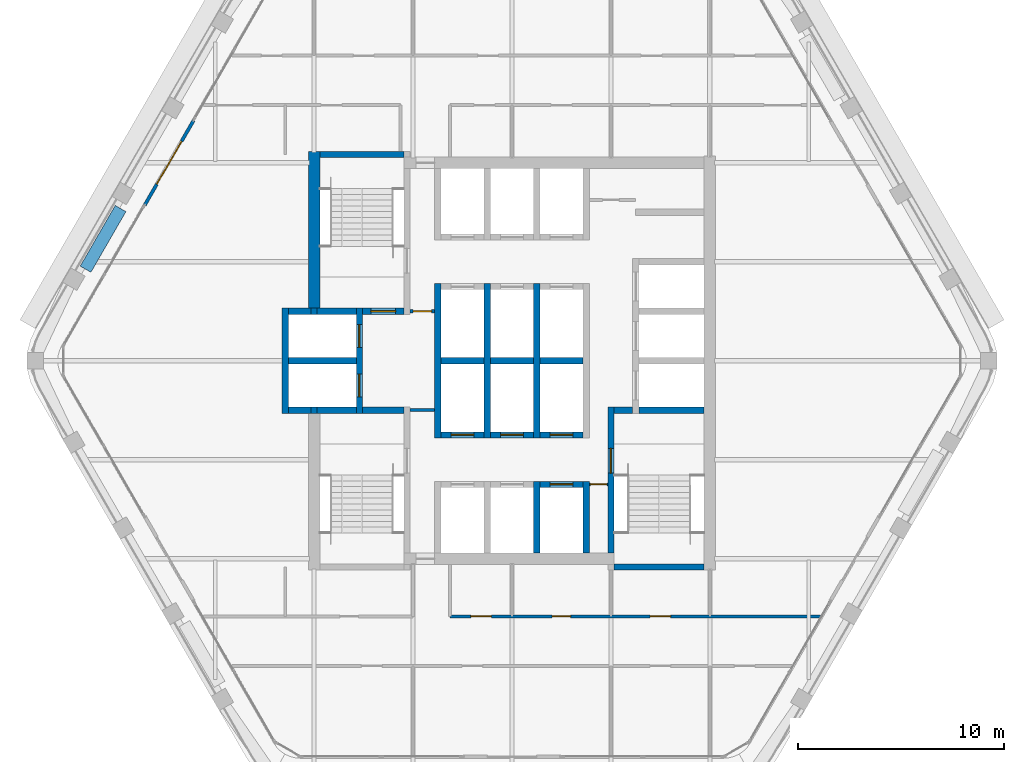
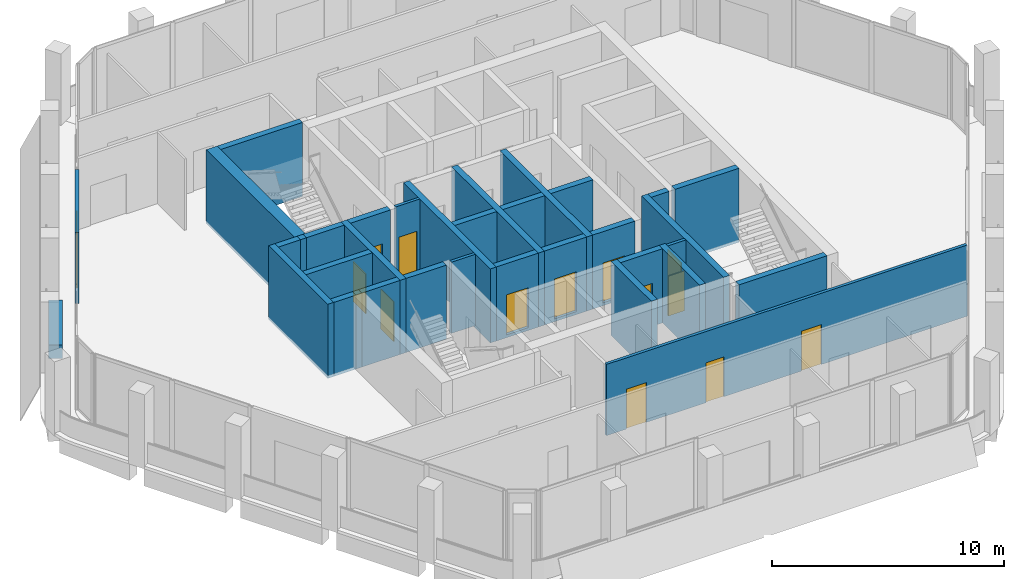
# One storey, part 8 of 14: 35 walls, 14 doors, 14 openings.
"""IFC4 building model written with IfcOpenShell, lengths in metres."""

from ifc_helpers import new_model, si_unit, direction, frame, frame_2d, origin, place, context, subcontext, project, spatial, rectangle, extrude, material, layer, layer_set, type_object, element, fill, save


model = new_model("IFC4")

# Units and contexts
model_context = context("Model", 3, precision=1e-05, world=origin(), true_north=direction((0.0, 1.0)))
body_context = subcontext(model_context, "Body", "Model", "MODEL_VIEW")
ifc_project = project(units=[si_unit("LENGTHUNIT", "METRE"), si_unit("AREAUNIT", "SQUARE_METRE"), si_unit("VOLUMEUNIT", "CUBIC_METRE"), si_unit("PLANEANGLEUNIT", "RADIAN"), si_unit("MASSUNIT", "GRAM", prefix="KILO")], contexts=[model_context])

# Site, building, storey
site_placement = place(None, origin())
site = spatial("IfcSite", under=ifc_project, at=site_placement, CompositionType="ELEMENT")
building_placement = place(site_placement, origin())
building = spatial("IfcBuilding", under=site, at=building_placement, Name="Kolab Exchange Tower", CompositionType="ELEMENT")
storey_placement = place(building_placement, frame((0.0, 0.0, 246.199951171875)))
storey = spatial("IfcBuildingStorey", under=building, at=storey_placement, Name="L54", CompositionType="ELEMENT", Elevation=246.199951171875)

# Wall
ifc_material_1 = material(Name="Concrete C50/60", Category="concrete")
ifc_layer_1 = layer(ifc_material_1, 0.550048828125)
ifc_layer_set_1 = layer_set([ifc_layer_1], Name="Concrete C50/60")
wall_type_1 = type_object("IfcWallType", Name="CORE WALL 550 C50/60", PredefinedType="SHEAR", material=ifc_layer_set_1)
wall_1_placement = place(storey_placement, frame((-9.60009765625, 2.550048828125, -0.14990234375), z_axis=(0.0, 0.0, 1.0), x_axis=(0.0, 1.0, 0.0)))
element("IfcWall", 1, at=wall_1_placement, inside=storey, type_object=wall_type_1, Name="wall/L54/core/037", PredefinedType="SHEAR", context=body_context, shape_type="SweptSolid", body=[
    extrude(rectangle(XDim=7.599853515625, YDim=0.550048828125, at=frame_2d((3.7998046875, 0.0))), origin(), (0.0, 0.0, 1.0), 3.89990234375),
])

# Wall, opening, door
ifc_material_2 = material(Name="Aluminium EN AW-6063 T6", Category="aluminium")
ifc_layer_2 = layer(ifc_material_2, 0.159912109375)
ifc_layer_set_2 = layer_set([ifc_layer_2], Name="Aluminium EN AW-6063 T6")
wall_type_2 = type_object("IfcWallType", Name="DOOR SURROUND WALL 160 ALUMINIUM FRAMED", PredefinedType="PARTITIONING", material=ifc_layer_set_2)
wall_2_placement = place(storey_placement, frame((-17.816650390625, 7.5498046875, 0.0), z_axis=(0.0, 0.0, 1.0), x_axis=(0.499978080042, 0.866038058908, 0.0)))
wall_2 = element("IfcWall", 2, at=wall_2_placement, inside=storey, type_object=wall_type_2, Name="Door surround wall", PredefinedType="PARTITIONING", context=body_context, shape_type="SweptSolid", body=[
    extrude(rectangle(XDim=4.739990234375, YDim=0.159912109375, at=frame_2d((2.3701171875, 0.0))), origin(), (0.0, 0.0, 1.0), 3.75),
])
opening_1_placement = place(wall_2_placement, frame((1.169921875, 0.0, 0.0)))
opening_1 = element("IfcOpeningElement", 3, at=opening_1_placement, cuts=wall_2, Name="Opening GD1-094", PredefinedType="OPENING", context=body_context, shape_type="SweptSolid", body=[
    extrude(rectangle(XDim=2.39990234375, YDim=2.39990234375, at=frame_2d((1.199951171875, 1.199951171875))), frame((0.0, 0.08984375, 0.0), z_axis=(0.0, -1.0, 0.0), x_axis=(1.0, 0.0, 0.0)), (0.0, 0.0, 1.0), 0.179931640625),
])
door_type_1 = type_object("IfcDoorType", Name="LOGGIA SLIDING GLASS DOOR 2400 X 2400", OperationType="DOUBLE_DOOR_SINGLE_SWING", PredefinedType="DOOR", material=ifc_material_2)
door_1_placement = place(opening_1_placement, origin())
door_1 = element("IfcDoor", 4, at=door_1_placement, inside=storey, type_object=door_type_1, Name="Loggia door", OperationType="DOUBLE_DOOR_SLIDING", OverallHeight=2.39990234375, OverallWidth=2.39990234375, PredefinedType="DOOR", context=body_context, shape_type="SweptSolid", body=[
    extrude(rectangle(XDim=2.39990234375, YDim=2.39990234375, at=frame_2d((1.199951171875, 1.199951171875))), frame((0.0, 0.02490234375, 0.0), z_axis=(0.0, -1.0, 0.0), x_axis=(1.0, 0.0, 0.0)), (0.0, 0.0, 1.0), 0.050048828125),
])
fill(opening_1, door_1)

ifc_layer_3 = layer(ifc_material_1, 0.300048828125)
ifc_layer_set_3 = layer_set([ifc_layer_3], Name="Concrete C50/60")
wall_type_3 = type_object("IfcWallType", Name="LIFT SHAFT WALL 300 C50/60", PredefinedType="STANDARD", material=ifc_layer_set_3)
wall_3_placement = place(storey_placement, frame((1.35009765625, -6.0, -0.14990234375), z_axis=(0.0, 0.0, 1.0), x_axis=(1.0, 0.0, 0.0)))
wall_3 = element("IfcWall", 5, at=wall_3_placement, inside=storey, type_object=wall_type_3, Name="wall/L54/core/005", PredefinedType="STANDARD", context=body_context, shape_type="SweptSolid", body=[
    extrude(rectangle(XDim=2.099853515625, YDim=0.300048828125, at=frame_2d((1.0498046875, 0.0))), origin(), (0.0, 0.0, 1.0), 3.89990234375),
])
opening_2_placement = place(wall_3_placement, frame((0.5, 0.0, 0.14990234375)))
opening_2 = element("IfcOpeningElement", 6, at=opening_2_placement, cuts=wall_3, Name="Opening LD1-112", PredefinedType="OPENING", context=body_context, shape_type="SweptSolid", body=[
    extrude(rectangle(XDim=1.10009765625, YDim=2.10009765625, at=frame_2d((0.550048828125, 1.050048828125))), frame((0.0, 0.16015625, 0.0), z_axis=(0.0, -1.0, 0.0), x_axis=(1.0, 0.0, 0.0)), (0.0, 0.0, 1.0), 0.320068359375),
])
ifc_material_3 = material(Name="Stainless steel 316", Category="steel")
door_type_2 = type_object("IfcDoorType", Name="LANDING DOOR 1100 PASSENGER", OperationType="DOUBLE_DOOR_SLIDING", PredefinedType="DOOR", material=ifc_material_3)
door_2_placement = place(opening_2_placement, origin())
door_2 = element("IfcDoor", 7, at=door_2_placement, inside=storey, type_object=door_type_2, Name="Landing door HR12", OperationType="DOUBLE_DOOR_SLIDING", OverallHeight=2.10009765625, OverallWidth=1.10009765625, PredefinedType="DOOR", context=body_context, shape_type="SweptSolid", body=[
    extrude(rectangle(XDim=1.10009765625, YDim=2.10009765625, at=frame_2d((0.550048828125, 1.050048828125))), frame((0.0, 0.02490234375, 0.0), z_axis=(0.0, -1.0, 0.0), x_axis=(1.0, 0.0, 0.0)), (0.0, 0.0, 1.0), 0.050048828125),
])
fill(opening_2, door_2)

wall_4_placement = place(storey_placement, frame((-3.449951171875, -3.60009765625, -0.14990234375), z_axis=(0.0, 0.0, 1.0), x_axis=(1.0, 0.0, 0.0)))
wall_4 = element("IfcWall", 8, at=wall_4_placement, inside=storey, type_object=wall_type_3, Name="wall/L54/core/006", PredefinedType="STANDARD", context=body_context, shape_type="SweptSolid", body=[
    extrude(rectangle(XDim=2.099853515625, YDim=0.300048828125, at=frame_2d((1.0498046875, 0.0))), origin(), (0.0, 0.0, 1.0), 3.89990234375),
])
opening_3_placement = place(wall_4_placement, frame((0.5, 0.0, 0.14990234375)))
opening_3 = element("IfcOpeningElement", 9, at=opening_3_placement, cuts=wall_4, Name="Opening LD1-118", PredefinedType="OPENING", context=body_context, shape_type="SweptSolid", body=[
    extrude(rectangle(XDim=1.10009765625, YDim=2.10009765625, at=frame_2d((0.550048828125, 1.050048828125))), frame((0.0, 0.16015625, 0.0), z_axis=(0.0, -1.0, 0.0), x_axis=(1.0, 0.0, 0.0)), (0.0, 0.0, 1.0), 0.320068359375),
])
door_3_placement = place(opening_3_placement, origin())
door_3 = element("IfcDoor", 10, at=door_3_placement, inside=storey, type_object=door_type_2, Name="Landing door HR7", OperationType="DOUBLE_DOOR_SLIDING", OverallHeight=2.10009765625, OverallWidth=1.10009765625, PredefinedType="DOOR", context=body_context, shape_type="SweptSolid", body=[
    extrude(rectangle(XDim=1.10009765625, YDim=2.10009765625, at=frame_2d((0.550048828125, 1.050048828125))), frame((0.0, 0.02490234375, 0.0), z_axis=(0.0, -1.0, 0.0), x_axis=(1.0, 0.0, 0.0)), (0.0, 0.0, 1.0), 0.050048828125),
])
fill(opening_3, door_3)

wall_5_placement = place(storey_placement, frame((-1.050048828125, -3.60009765625, -0.14990234375), z_axis=(0.0, 0.0, 1.0), x_axis=(1.0, 0.0, 0.0)))
wall_5 = element("IfcWall", 11, at=wall_5_placement, inside=storey, type_object=wall_type_3, Name="wall/L54/core/007", PredefinedType="STANDARD", context=body_context, shape_type="SweptSolid", body=[
    extrude(rectangle(XDim=2.10009765625, YDim=0.300048828125, at=frame_2d((1.050048828125, 0.0))), origin(), (0.0, 0.0, 1.0), 3.89990234375),
])
opening_4_placement = place(wall_5_placement, frame((0.5, 0.0, 0.14990234375)))
opening_4 = element("IfcOpeningElement", 12, at=opening_4_placement, cuts=wall_5, Name="Opening LD1-119", PredefinedType="OPENING", context=body_context, shape_type="SweptSolid", body=[
    extrude(rectangle(XDim=1.10009765625, YDim=2.10009765625, at=frame_2d((0.550048828125, 1.050048828125))), frame((0.0, 0.16015625, 0.0), z_axis=(0.0, -1.0, 0.0), x_axis=(1.0, 0.0, 0.0)), (0.0, 0.0, 1.0), 0.320068359375),
])
door_4_placement = place(opening_4_placement, origin())
door_4 = element("IfcDoor", 13, at=door_4_placement, inside=storey, type_object=door_type_2, Name="Landing door HR8", OperationType="DOUBLE_DOOR_SLIDING", OverallHeight=2.10009765625, OverallWidth=1.10009765625, PredefinedType="DOOR", context=body_context, shape_type="SweptSolid", body=[
    extrude(rectangle(XDim=1.10009765625, YDim=2.10009765625, at=frame_2d((0.550048828125, 1.050048828125))), frame((0.0, 0.02490234375, 0.0), z_axis=(0.0, -1.0, 0.0), x_axis=(1.0, 0.0, 0.0)), (0.0, 0.0, 1.0), 0.050048828125),
])
fill(opening_4, door_4)

wall_6_placement = place(storey_placement, frame((1.35009765625, -3.60009765625, -0.14990234375), z_axis=(0.0, 0.0, 1.0), x_axis=(1.0, 0.0, 0.0)))
wall_6 = element("IfcWall", 14, at=wall_6_placement, inside=storey, type_object=wall_type_3, Name="wall/L54/core/008", PredefinedType="STANDARD", context=body_context, shape_type="SweptSolid", body=[
    extrude(rectangle(XDim=2.099853515625, YDim=0.300048828125, at=frame_2d((1.0498046875, 0.0))), origin(), (0.0, 0.0, 1.0), 3.89990234375),
])
opening_5_placement = place(wall_6_placement, frame((0.5, 0.0, 0.14990234375)))
opening_5 = element("IfcOpeningElement", 15, at=opening_5_placement, cuts=wall_6, Name="Opening LD1-120", PredefinedType="OPENING", context=body_context, shape_type="SweptSolid", body=[
    extrude(rectangle(XDim=1.10009765625, YDim=2.10009765625, at=frame_2d((0.550048828125, 1.050048828125))), frame((0.0, 0.16015625, 0.0), z_axis=(0.0, -1.0, 0.0), x_axis=(1.0, 0.0, 0.0)), (0.0, 0.0, 1.0), 0.320068359375),
])
door_5_placement = place(opening_5_placement, origin())
door_5 = element("IfcDoor", 16, at=door_5_placement, inside=storey, type_object=door_type_2, Name="Landing door HR9", OperationType="DOUBLE_DOOR_SLIDING", OverallHeight=2.10009765625, OverallWidth=1.10009765625, PredefinedType="DOOR", context=body_context, shape_type="SweptSolid", body=[
    extrude(rectangle(XDim=1.10009765625, YDim=2.10009765625, at=frame_2d((0.550048828125, 1.050048828125))), frame((0.0, 0.02490234375, 0.0), z_axis=(0.0, -1.0, 0.0), x_axis=(1.0, 0.0, 0.0)), (0.0, 0.0, 1.0), 0.050048828125),
])
fill(opening_5, door_5)

# Walls
wall_7_placement = place(storey_placement, frame((-10.85009765625, -2.39990234375, -0.14990234375), z_axis=(0.0, 0.0, 1.0), x_axis=(1.0, 0.0, 0.0)))
element("IfcWall", 17, at=wall_7_placement, inside=storey, type_object=wall_type_3, Name="wall/L54/core/009", PredefinedType="STANDARD", context=body_context, shape_type="SweptSolid", body=[
    extrude(rectangle(XDim=1.10009765625, YDim=0.300048828125, at=frame_2d((0.550048828125, 0.0))), origin(), (0.0, 0.0, 1.0), 3.89990234375),
])
wall_8_placement = place(storey_placement, frame((-10.85009765625, 0.0, -0.14990234375), z_axis=(0.0, 0.0, 1.0), x_axis=(1.0, 0.0, 0.0)))
element("IfcWall", 18, at=wall_8_placement, inside=storey, type_object=wall_type_3, Name="wall/L54/core/014", PredefinedType="STANDARD", context=body_context, shape_type="SweptSolid", body=[
    extrude(rectangle(XDim=3.300048828125, YDim=0.300048828125, at=frame_2d((1.64990234375, 0.0))), origin(), (0.0, 0.0, 1.0), 3.89990234375),
])
wall_9_placement = place(storey_placement, frame((-3.449951171875, 0.0, -0.14990234375), z_axis=(0.0, 0.0, 1.0), x_axis=(1.0, 0.0, 0.0)))
element("IfcWall", 19, at=wall_9_placement, inside=storey, type_object=wall_type_3, Name="wall/L54/core/015", PredefinedType="STANDARD", context=body_context, shape_type="SweptSolid", body=[
    extrude(rectangle(XDim=2.099853515625, YDim=0.300048828125, at=frame_2d((1.0498046875, 0.0))), origin(), (0.0, 0.0, 1.0), 3.89990234375),
])
wall_10_placement = place(storey_placement, frame((-1.050048828125, 0.0, -0.14990234375), z_axis=(0.0, 0.0, 1.0), x_axis=(1.0, 0.0, 0.0)))
element("IfcWall", 20, at=wall_10_placement, inside=storey, type_object=wall_type_3, Name="wall/L54/core/016", PredefinedType="STANDARD", context=body_context, shape_type="SweptSolid", body=[
    extrude(rectangle(XDim=2.10009765625, YDim=0.300048828125, at=frame_2d((1.050048828125, 0.0))), origin(), (0.0, 0.0, 1.0), 3.89990234375),
])
wall_11_placement = place(storey_placement, frame((1.35009765625, 0.0, -0.14990234375), z_axis=(0.0, 0.0, 1.0), x_axis=(1.0, 0.0, 0.0)))
element("IfcWall", 21, at=wall_11_placement, inside=storey, type_object=wall_type_3, Name="wall/L54/core/017", PredefinedType="STANDARD", context=body_context, shape_type="SweptSolid", body=[
    extrude(rectangle(XDim=2.099853515625, YDim=0.300048828125, at=frame_2d((1.0498046875, 0.0))), origin(), (0.0, 0.0, 1.0), 3.89990234375),
])
wall_12_placement = place(storey_placement, frame((-10.85009765625, 2.39990234375, -0.14990234375), z_axis=(0.0, 0.0, 1.0), x_axis=(1.0, 0.0, 0.0)))
element("IfcWall", 22, at=wall_12_placement, inside=storey, type_object=wall_type_3, Name="wall/L54/core/019", PredefinedType="STANDARD", context=body_context, shape_type="SweptSolid", body=[
    extrude(rectangle(XDim=1.10009765625, YDim=0.300048828125, at=frame_2d((0.550048828125, 0.0))), origin(), (0.0, 0.0, 1.0), 3.89990234375),
])
wall_13_placement = place(storey_placement, frame((-11.0, -2.550048828125, -0.14990234375), z_axis=(0.0, 0.0, 1.0), x_axis=(0.0, 1.0, 0.0)))
element("IfcWall", 23, at=wall_13_placement, inside=storey, type_object=wall_type_3, Name="wall/L54/core/033", PredefinedType="STANDARD", context=body_context, shape_type="SweptSolid", body=[
    extrude(rectangle(XDim=5.10009765625, YDim=0.300048828125, at=frame_2d((2.550048828125, 0.0))), origin(), (0.0, 0.0, 1.0), 3.89990234375),
])

# Wall, openings, doors
wall_14_placement = place(storey_placement, frame((-7.39990234375, -2.550048828125, -0.14990234375), z_axis=(0.0, 0.0, 1.0), x_axis=(0.0, 1.0, 0.0)))
wall_14 = element("IfcWall", 24, at=wall_14_placement, inside=storey, type_object=wall_type_3, Name="wall/L54/core/038", PredefinedType="STANDARD", context=body_context, shape_type="SweptSolid", body=[
    extrude(rectangle(XDim=5.10009765625, YDim=0.300048828125, at=frame_2d((2.550048828125, 0.0))), origin(), (0.0, 0.0, 1.0), 3.89990234375),
])
opening_6_placement = place(wall_14_placement, frame((0.800048828125, 0.0, 0.14990234375)))
opening_6 = element("IfcOpeningElement", 25, at=opening_6_placement, cuts=wall_14, Name="Opening LD2-025", PredefinedType="OPENING", context=body_context, shape_type="SweptSolid", body=[
    extrude(rectangle(XDim=1.10009765625, YDim=2.10009765625, at=frame_2d((0.550048828125, 1.050048828125))), frame((0.0, 0.16015625, 0.0), z_axis=(0.0, -1.0, 0.0), x_axis=(1.0, 0.0, 0.0)), (0.0, 0.0, 1.0), 0.320068359375),
])
opening_7_placement = place(wall_14_placement, frame((3.199951171875, 0.0, 0.14990234375)))
opening_7 = element("IfcOpeningElement", 26, at=opening_7_placement, cuts=wall_14, Name="Opening LD2-026", PredefinedType="OPENING", context=body_context, shape_type="SweptSolid", body=[
    extrude(rectangle(XDim=1.10009765625, YDim=2.10009765625, at=frame_2d((0.550048828125, 1.050048828125))), frame((0.0, 0.16015625, 0.0), z_axis=(0.0, -1.0, 0.0), x_axis=(1.0, 0.0, 0.0)), (0.0, 0.0, 1.0), 0.320068359375),
])
door_type_3 = type_object("IfcDoorType", Name="LANDING DOOR 1100 FIREFIGHTING", OperationType="DOUBLE_DOOR_SLIDING", PredefinedType="DOOR", material=ifc_material_3)
door_6_placement = place(opening_6_placement, origin())
door_6 = element("IfcDoor", 27, at=door_6_placement, inside=storey, type_object=door_type_3, Name="Landing door FF1", OperationType="DOUBLE_DOOR_SLIDING", OverallHeight=2.10009765625, OverallWidth=1.10009765625, PredefinedType="DOOR", context=body_context, shape_type="SweptSolid", body=[
    extrude(rectangle(XDim=1.10009765625, YDim=2.10009765625, at=frame_2d((0.550048828125, 1.050048828125))), frame((0.0, 0.02490234375, 0.0), z_axis=(0.0, -1.0, 0.0), x_axis=(1.0, 0.0, 0.0)), (0.0, 0.0, 1.0), 0.050048828125),
])
fill(opening_6, door_6)
door_7_placement = place(opening_7_placement, origin())
door_7 = element("IfcDoor", 28, at=door_7_placement, inside=storey, type_object=door_type_3, Name="Landing door FF2", OperationType="DOUBLE_DOOR_SLIDING", OverallHeight=2.10009765625, OverallWidth=1.10009765625, PredefinedType="DOOR", context=body_context, shape_type="SweptSolid", body=[
    extrude(rectangle(XDim=1.10009765625, YDim=2.10009765625, at=frame_2d((0.550048828125, 1.050048828125))), frame((0.0, 0.02490234375, 0.0), z_axis=(0.0, -1.0, 0.0), x_axis=(1.0, 0.0, 0.0)), (0.0, 0.0, 1.0), 0.050048828125),
])
fill(opening_7, door_7)

# Walls
for number, where, z_axis, x_axis, name in (
    (29, (-3.60009765625, -3.75, -0.14990234375), (0.0, 0.0, 1.0), (0.0, 1.0, 0.0), "wall/L54/core/044"),
    (30, (-1.199951171875, -3.75, -0.14990234375), (0.0, 0.0, 1.0), (0.0, 1.0, 0.0), "wall/L54/core/047"),
):
    element("IfcWall", number, at=place(storey_placement, frame(where, z_axis=z_axis, x_axis=x_axis)), inside=storey, type_object=wall_type_3, Name=name, PredefinedType="STANDARD", context=body_context, shape_type="SweptSolid", body=[
        extrude(rectangle(XDim=7.5, YDim=0.300048828125, at=frame_2d((3.75, 0.0))), origin(), (0.0, 0.0, 1.0), 3.89990234375),
    ])
wall_15_placement = place(storey_placement, frame((1.199951171875, -9.324951171875, -0.14990234375), z_axis=(0.0, 0.0, 1.0), x_axis=(0.0, 1.0, 0.0)))
element("IfcWall", 31, at=wall_15_placement, inside=storey, type_object=wall_type_3, Name="wall/L54/core/049", PredefinedType="STANDARD", context=body_context, shape_type="SweptSolid", body=[
    extrude(rectangle(XDim=3.474853515625, YDim=0.300048828125, at=frame_2d((1.7373046875, 0.0))), origin(), (0.0, 0.0, 1.0), 3.89990234375),
])
wall_16_placement = place(storey_placement, frame((1.199951171875, -3.75, -0.14990234375), z_axis=(0.0, 0.0, 1.0), x_axis=(0.0, 1.0, 0.0)))
element("IfcWall", 32, at=wall_16_placement, inside=storey, type_object=wall_type_3, Name="wall/L54/core/050", PredefinedType="STANDARD", context=body_context, shape_type="SweptSolid", body=[
    extrude(rectangle(XDim=7.5, YDim=0.300048828125, at=frame_2d((3.75, 0.0))), origin(), (0.0, 0.0, 1.0), 3.89990234375),
])
wall_17_placement = place(storey_placement, frame((3.60009765625, -9.324951171875, -0.14990234375), z_axis=(0.0, 0.0, 1.0), x_axis=(0.0, 1.0, 0.0)))
element("IfcWall", 33, at=wall_17_placement, inside=storey, type_object=wall_type_3, Name="wall/L54/core/052", PredefinedType="STANDARD", context=body_context, shape_type="SweptSolid", body=[
    extrude(rectangle(XDim=3.474853515625, YDim=0.300048828125, at=frame_2d((1.7373046875, 0.0))), origin(), (0.0, 0.0, 1.0), 3.89990234375),
])

# Wall, openings, doors
ifc_material_4 = material(Name="Gypsum board", Category="gypsum")
ifc_layer_4 = layer(ifc_material_4, 0.14990234375)
ifc_layer_set_4 = layer_set([ifc_layer_4], Name="Gypsum board")
wall_type_4 = type_object("IfcWallType", Name="PARTITION 150 FIRE-RATED", PredefinedType="PARTITIONING", material=ifc_layer_set_4)
wall_18_placement = place(storey_placement, frame((-3.0, -12.39990234375, 0.0), z_axis=(0.0, 0.0, 1.0), x_axis=(1.0, 0.0, 0.0)))
wall_18 = element("IfcWall", 34, at=wall_18_placement, inside=storey, type_object=wall_type_4, Name="Partition 021", PredefinedType="PARTITIONING", context=body_context, shape_type="SweptSolid", body=[
    extrude(rectangle(XDim=17.97021484375, YDim=0.14990234375, at=frame_2d((8.985107421875, 0.0))), origin(), (0.0, 0.0, 1.0), 3.75),
])
opening_8_placement = place(wall_18_placement, frame((1.0, 0.0, 0.0)))
opening_8 = element("IfcOpeningElement", 35, at=opening_8_placement, cuts=wall_18, Name="Opening D1-675", PredefinedType="OPENING", context=body_context, shape_type="SweptSolid", body=[
    extrude(rectangle(XDim=1.0, YDim=2.10009765625, at=frame_2d((0.5, 1.050048828125))), frame((0.0, 0.0849609375, 0.0), z_axis=(0.0, -1.0, 0.0), x_axis=(1.0, 0.0, 0.0)), (0.0, 0.0, 1.0), 0.169921875),
])
opening_9_placement = place(wall_18_placement, frame((4.949951171875, 0.0, 0.0)))
opening_9 = element("IfcOpeningElement", 36, at=opening_9_placement, cuts=wall_18, Name="Opening D3-080", PredefinedType="OPENING", context=body_context, shape_type="SweptSolid", body=[
    extrude(rectangle(XDim=0.89990234375, YDim=2.10009765625, at=frame_2d((0.449951171875, 1.050048828125))), frame((0.0, 0.0849609375, 0.0), z_axis=(0.0, -1.0, 0.0), x_axis=(1.0, 0.0, 0.0)), (0.0, 0.0, 1.0), 0.169921875),
])
opening_10_placement = place(wall_18_placement, frame((9.699951171875, 0.0, 0.0)))
opening_10 = element("IfcOpeningElement", 37, at=opening_10_placement, cuts=wall_18, Name="Opening D1-676", PredefinedType="OPENING", context=body_context, shape_type="SweptSolid", body=[
    extrude(rectangle(XDim=1.0, YDim=2.10009765625, at=frame_2d((0.5, 1.050048828125))), frame((0.0, 0.0849609375, 0.0), z_axis=(0.0, -1.0, 0.0), x_axis=(1.0, 0.0, 0.0)), (0.0, 0.0, 1.0), 0.169921875),
])
ifc_material_5 = material(Name="Steel S235", Category="steel")
door_type_4 = type_object("IfcDoorType", Name="FLUSH DOOR 1000 FD60", OperationType="SINGLE_SWING_LEFT", PredefinedType="DOOR", material=ifc_material_5)
door_8_placement = place(opening_8_placement, origin())
door_8 = element("IfcDoor", 38, at=door_8_placement, inside=storey, type_object=door_type_4, Name="Door L54-035", OperationType="SINGLE_SWING_LEFT", OverallHeight=2.10009765625, OverallWidth=1.0, PredefinedType="DOOR", context=body_context, shape_type="SweptSolid", body=[
    extrude(rectangle(XDim=1.0, YDim=2.10009765625, at=frame_2d((0.5, 1.050048828125))), frame((0.0, 0.02490234375, 0.0), z_axis=(0.0, -1.0, 0.0), x_axis=(1.0, 0.0, 0.0)), (0.0, 0.0, 1.0), 0.050048828125),
])
fill(opening_8, door_8)
door_9_placement = place(opening_10_placement, origin())
door_9 = element("IfcDoor", 39, at=door_9_placement, inside=storey, type_object=door_type_4, Name="Door L54-037", OperationType="SINGLE_SWING_LEFT", OverallHeight=2.10009765625, OverallWidth=1.0, PredefinedType="DOOR", context=body_context, shape_type="SweptSolid", body=[
    extrude(rectangle(XDim=1.0, YDim=2.10009765625, at=frame_2d((0.5, 1.050048828125))), frame((0.0, 0.02490234375, 0.0), z_axis=(0.0, -1.0, 0.0), x_axis=(1.0, 0.0, 0.0)), (0.0, 0.0, 1.0), 0.050048828125),
])
fill(opening_10, door_9)
door_type_5 = type_object("IfcDoorType", Name="FLUSH DOOR 900 FD60", OperationType="SINGLE_SWING_LEFT", PredefinedType="DOOR", material=ifc_material_5)
door_10_placement = place(opening_9_placement, origin())
door_10 = element("IfcDoor", 40, at=door_10_placement, inside=storey, type_object=door_type_5, Name="Door L54-036", OperationType="SINGLE_SWING_RIGHT", OverallHeight=2.10009765625, OverallWidth=0.89990234375, PredefinedType="DOOR", context=body_context, shape_type="SweptSolid", body=[
    extrude(rectangle(XDim=0.89990234375, YDim=2.10009765625, at=frame_2d((0.449951171875, 1.050048828125))), frame((0.0, 0.02490234375, 0.0), z_axis=(0.0, -1.0, 0.0), x_axis=(1.0, 0.0, 0.0)), (0.0, 0.0, 1.0), 0.050048828125),
])
fill(opening_9, door_10)

# Wall, opening, door
wall_19_placement = place(storey_placement, frame((3.75, -6.0, 0.0), z_axis=(0.0, 0.0, 1.0), x_axis=(1.0, 0.0, 0.0)))
wall_19 = element("IfcWall", 41, at=wall_19_placement, inside=storey, type_object=wall_type_4, Name="Partition 022", PredefinedType="PARTITIONING", context=body_context, shape_type="SweptSolid", body=[
    extrude(rectangle(XDim=0.89990234375, YDim=0.14990234375, at=frame_2d((0.449951171875, 0.0))), origin(), (0.0, 0.0, 1.0), 3.75),
])
opening_11_placement = place(wall_19_placement, frame((0.050048828125, 0.0, 0.0)))
opening_11 = element("IfcOpeningElement", 42, at=opening_11_placement, cuts=wall_19, Name="Opening D7-041", PredefinedType="OPENING", context=body_context, shape_type="SweptSolid", body=[
    extrude(rectangle(XDim=0.800048828125, YDim=2.10009765625, at=frame_2d((0.39990234375, 1.050048828125))), frame((0.0, 0.0849609375, 0.0), z_axis=(0.0, -1.0, 0.0), x_axis=(1.0, 0.0, 0.0)), (0.0, 0.0, 1.0), 0.169921875),
])
door_type_6 = type_object("IfcDoorType", Name="FLUSH DOOR 800 FD60", OperationType="SINGLE_SWING_LEFT", PredefinedType="DOOR", material=ifc_material_5)
door_11_placement = place(opening_11_placement, frame((0.800048828125, 0.0, 0.0), z_axis=(0.0, 0.0, 1.0), x_axis=(-1.0, 0.0, 0.0)))
door_11 = element("IfcDoor", 43, at=door_11_placement, inside=storey, type_object=door_type_6, Name="Door L54-024", OperationType="SINGLE_SWING_RIGHT", OverallHeight=2.10009765625, OverallWidth=0.800048828125, PredefinedType="DOOR", context=body_context, shape_type="SweptSolid", body=[
    extrude(rectangle(XDim=0.800048828125, YDim=2.10009765625, at=frame_2d((0.39990234375, 1.050048828125))), frame((0.0, 0.02490234375, 0.0), z_axis=(0.0, -1.0, 0.0), x_axis=(1.0, 0.0, 0.0)), (0.0, 0.0, 1.0), 0.050048828125),
])
fill(opening_11, door_11)

wall_20_placement = place(storey_placement, frame((-4.949951171875, 2.39990234375, 0.0), z_axis=(0.0, 0.0, 1.0), x_axis=(1.0, 0.0, 0.0)))
wall_20 = element("IfcWall", 44, at=wall_20_placement, inside=storey, type_object=wall_type_4, Name="Fire partition", PredefinedType="PARTITIONING", context=body_context, shape_type="SweptSolid", body=[
    extrude(rectangle(XDim=1.199951171875, YDim=0.14990234375, at=frame_2d((0.60009765625, 0.0))), origin(), (0.0, 0.0, 1.0), 3.75),
])
opening_12_placement = place(wall_20_placement, frame((0.14990234375, 0.0, 0.0)))
opening_12 = element("IfcOpeningElement", 45, at=opening_12_placement, cuts=wall_20, Name="Opening D6-288", PredefinedType="OPENING", context=body_context, shape_type="SweptSolid", body=[
    extrude(rectangle(XDim=0.89990234375, YDim=2.10009765625, at=frame_2d((0.449951171875, 1.050048828125))), frame((0.0, 0.0849609375, 0.0), z_axis=(0.0, -1.0, 0.0), x_axis=(1.0, 0.0, 0.0)), (0.0, 0.0, 1.0), 0.169921875),
])
door_type_7 = type_object("IfcDoorType", Name="CORE DOOR 900 EI 120", OperationType="SINGLE_SWING_LEFT", PredefinedType="DOOR", material=ifc_material_5)
door_12_placement = place(opening_12_placement, frame((0.89990234375, 0.0, 0.0), z_axis=(0.0, 0.0, 1.0), x_axis=(-1.0, 0.0, 0.0)))
door_12 = element("IfcDoor", 46, at=door_12_placement, inside=storey, type_object=door_type_7, Name="Firefighting lobby door", OperationType="SINGLE_SWING_RIGHT", OverallHeight=2.10009765625, OverallWidth=0.89990234375, PredefinedType="DOOR", context=body_context, shape_type="SweptSolid", body=[
    extrude(rectangle(XDim=0.89990234375, YDim=2.10009765625, at=frame_2d((0.449951171875, 1.050048828125))), frame((0.0, 0.02490234375, 0.0), z_axis=(0.0, -1.0, 0.0), x_axis=(1.0, 0.0, 0.0)), (0.0, 0.0, 1.0), 0.050048828125),
])
fill(opening_12, door_12)

# Walls
wall_21_placement = place(storey_placement, frame((-4.949951171875, -2.39990234375, 0.0), z_axis=(0.0, 0.0, 1.0), x_axis=(1.0, 0.0, 0.0)))
element("IfcWall", 47, at=wall_21_placement, inside=storey, type_object=wall_type_4, Name="Fire partition", PredefinedType="PARTITIONING", context=body_context, shape_type="SweptSolid", body=[
    extrude(rectangle(XDim=1.199951171875, YDim=0.14990234375, at=frame_2d((0.60009765625, 0.0))), origin(), (0.0, 0.0, 1.0), 3.75),
])
ifc_material_6 = material(Name="Granite facing", Category="masonry")
ifc_layer_5 = layer(ifc_material_6, 0.0400390625)
ifc_material_7 = material(Name="Concrete C40/50 precast", Category="concrete")
ifc_layer_6 = layer(ifc_material_7, 0.56005859375)
ifc_layer_set_5 = layer_set([ifc_layer_5, ifc_layer_6], Name="Concrete C40/50 precast")
wall_type_5 = type_object("IfcWallType", Name="PLANTER BOX 600 X 700 SOIL DEPTH 550", PredefinedType="USERDEFINED", material=ifc_layer_set_5)
wall_22_placement = place(storey_placement, frame((-20.68701171875, 4.438232421875, 0.0), z_axis=(0.0, 0.0, 1.0), x_axis=(0.500008388397, 0.866020560687, 0.0)))
element("IfcWall", 48, at=wall_22_placement, inside=storey, type_object=wall_type_5, Name="Planter", ObjectType="PLANTER", PredefinedType="USERDEFINED", context=body_context, shape_type="SweptSolid", body=[
    extrude(rectangle(XDim=3.39990234375, YDim=0.60009765625, at=frame_2d((1.699951171875, 0.0))), origin(), (0.0, 0.0, 1.0), 0.699951171875),
])
ifc_layer_7 = layer(ifc_material_1, 0.300048828125)
ifc_layer_set_6 = layer_set([ifc_layer_7], Name="Concrete C50/60")
wall_type_6 = type_object("IfcWallType", Name="STAIR ENCLOSURE WALL 300 C50/60", PredefinedType="STANDARD", material=ifc_layer_set_6)
wall_23_placement = place(storey_placement, frame((4.949951171875, -10.0, -0.14990234375), z_axis=(0.0, 0.0, 1.0), x_axis=(1.0, 0.0, 0.0)))
element("IfcWall", 49, at=wall_23_placement, inside=storey, type_object=wall_type_6, Name="wall/L54/core/001", PredefinedType="STANDARD", context=body_context, shape_type="SweptSolid", body=[
    extrude(rectangle(XDim=4.375, YDim=0.300048828125, at=frame_2d((2.1875, 0.0))), origin(), (0.0, 0.0, 1.0), 3.89990234375),
])
wall_24_placement = place(storey_placement, frame((-9.449951171875, -2.39990234375, -0.14990234375), z_axis=(0.0, 0.0, 1.0), x_axis=(1.0, 0.0, 0.0)))
element("IfcWall", 50, at=wall_24_placement, inside=storey, type_object=wall_type_6, Name="wall/L54/core/010", PredefinedType="STANDARD", context=body_context, shape_type="SweptSolid", body=[
    extrude(rectangle(XDim=1.89990234375, YDim=0.300048828125, at=frame_2d((0.949951171875, 0.0))), origin(), (0.0, 0.0, 1.0), 3.89990234375),
])
wall_25_placement = place(storey_placement, frame((-7.25, -2.39990234375, -0.14990234375), z_axis=(0.0, 0.0, 1.0), x_axis=(1.0, 0.0, 0.0)))
element("IfcWall", 51, at=wall_25_placement, inside=storey, type_object=wall_type_6, Name="wall/L54/core/011", PredefinedType="STANDARD", context=body_context, shape_type="SweptSolid", body=[
    extrude(rectangle(XDim=2.0, YDim=0.300048828125, at=frame_2d((1.0, 0.0))), origin(), (0.0, 0.0, 1.0), 3.89990234375),
])
wall_26_placement = place(storey_placement, frame((4.949951171875, -2.39990234375, -0.14990234375), z_axis=(0.0, 0.0, 1.0), x_axis=(1.0, 0.0, 0.0)))
element("IfcWall", 52, at=wall_26_placement, inside=storey, type_object=wall_type_6, Name="wall/L54/core/012", PredefinedType="STANDARD", context=body_context, shape_type="SweptSolid", body=[
    extrude(rectangle(XDim=0.900146484375, YDim=0.300048828125, at=frame_2d((0.4501953125, 0.0))), origin(), (0.0, 0.0, 1.0), 3.89990234375),
])
wall_27_placement = place(storey_placement, frame((6.14990234375, -2.39990234375, -0.14990234375), z_axis=(0.0, 0.0, 1.0), x_axis=(1.0, 0.0, 0.0)))
element("IfcWall", 53, at=wall_27_placement, inside=storey, type_object=wall_type_6, Name="wall/L54/core/013", PredefinedType="STANDARD", context=body_context, shape_type="SweptSolid", body=[
    extrude(rectangle(XDim=3.175048828125, YDim=0.300048828125, at=frame_2d((1.58740234375, 0.0))), origin(), (0.0, 0.0, 1.0), 3.89990234375),
])
wall_28_placement = place(storey_placement, frame((-9.449951171875, 2.39990234375, -0.14990234375), z_axis=(0.0, 0.0, 1.0), x_axis=(1.0, 0.0, 0.0)))
element("IfcWall", 54, at=wall_28_placement, inside=storey, type_object=wall_type_6, Name="wall/L54/core/020", PredefinedType="STANDARD", context=body_context, shape_type="SweptSolid", body=[
    extrude(rectangle(XDim=1.89990234375, YDim=0.300048828125, at=frame_2d((0.949951171875, 0.0))), origin(), (0.0, 0.0, 1.0), 3.89990234375),
])

# Wall, opening, door
wall_29_placement = place(storey_placement, frame((-7.25, 2.39990234375, -0.14990234375), z_axis=(0.0, 0.0, 1.0), x_axis=(1.0, 0.0, 0.0)))
wall_29 = element("IfcWall", 55, at=wall_29_placement, inside=storey, type_object=wall_type_6, Name="wall/L54/core/021", PredefinedType="STANDARD", context=body_context, shape_type="SweptSolid", body=[
    extrude(rectangle(XDim=2.0, YDim=0.300048828125, at=frame_2d((1.0, 0.0))), origin(), (0.0, 0.0, 1.0), 3.89990234375),
])
opening_13_placement = place(wall_29_placement, frame((0.39990234375, 0.0, 0.14990234375)))
opening_13 = element("IfcOpeningElement", 56, at=opening_13_placement, cuts=wall_29, Name="Opening D4-065", PredefinedType="OPENING", context=body_context, shape_type="SweptSolid", body=[
    extrude(rectangle(XDim=1.199951171875, YDim=2.10009765625, at=frame_2d((0.60009765625, 1.050048828125))), frame((0.0, 0.16015625, 0.0), z_axis=(0.0, -1.0, 0.0), x_axis=(1.0, 0.0, 0.0)), (0.0, 0.0, 1.0), 0.320068359375),
])
door_type_8 = type_object("IfcDoorType", Name="STAIR DOOR 1200 EI 120", OperationType="SINGLE_SWING_LEFT", PredefinedType="DOOR", material=ifc_material_5)
door_13_placement = place(opening_13_placement, origin())
door_13 = element("IfcDoor", 57, at=door_13_placement, inside=storey, type_object=door_type_8, Name="Stair 1 door", OperationType="SINGLE_SWING_RIGHT", OverallHeight=2.10009765625, OverallWidth=1.199951171875, PredefinedType="DOOR", context=body_context, shape_type="SweptSolid", body=[
    extrude(rectangle(XDim=1.199951171875, YDim=2.10009765625, at=frame_2d((0.60009765625, 1.050048828125))), frame((0.0, 0.02490234375, 0.0), z_axis=(0.0, -1.0, 0.0), x_axis=(1.0, 0.0, 0.0)), (0.0, 0.0, 1.0), 0.050048828125),
])
fill(opening_13, door_13)

# Walls
wall_30_placement = place(storey_placement, frame((-9.324951171875, 10.0, -0.14990234375), z_axis=(0.0, 0.0, 1.0), x_axis=(1.0, 0.0, 0.0)))
element("IfcWall", 58, at=wall_30_placement, inside=storey, type_object=wall_type_6, Name="wall/L54/core/032", PredefinedType="STANDARD", context=body_context, shape_type="SweptSolid", body=[
    extrude(rectangle(XDim=4.074951171875, YDim=0.300048828125, at=frame_2d((2.03759765625, 0.0))), origin(), (0.0, 0.0, 1.0), 3.89990234375),
])
for number, where, z_axis, x_axis, name in (
    (59, (-9.60009765625, -2.550048828125, -0.14990234375), (0.0, 0.0, 1.0), (0.0, 1.0, 0.0), "wall/L54/core/035"),
    (60, (-9.60009765625, 2.25, -0.14990234375), (0.0, 0.0, 1.0), (0.0, 1.0, 0.0), "wall/L54/core/036"),
):
    element("IfcWall", number, at=place(storey_placement, frame(where, z_axis=z_axis, x_axis=x_axis)), inside=storey, type_object=wall_type_6, Name=name, PredefinedType="STANDARD", context=body_context, shape_type="SweptSolid", body=[
        extrude(rectangle(XDim=0.300048828125, YDim=0.300048828125, at=frame_2d((0.14990234375, 0.0))), origin(), (0.0, 0.0, 1.0), 3.89990234375),
    ])

# Wall, opening, door
wall_31_placement = place(storey_placement, frame((4.800048828125, -9.324951171875, -0.14990234375), z_axis=(0.0, 0.0, 1.0), x_axis=(0.0, 1.0, 0.0)))
wall_31 = element("IfcWall", 61, at=wall_31_placement, inside=storey, type_object=wall_type_6, Name="wall/L54/core/056", PredefinedType="STANDARD", context=body_context, shape_type="SweptSolid", body=[
    extrude(rectangle(XDim=7.074951171875, YDim=0.300048828125, at=frame_2d((3.53759765625, 0.0))), origin(), (0.0, 0.0, 1.0), 3.89990234375),
])
opening_14_placement = place(wall_31_placement, frame((3.875, 0.0, 0.14990234375)))
opening_14 = element("IfcOpeningElement", 62, at=opening_14_placement, cuts=wall_31, Name="Opening D4-077", PredefinedType="OPENING", context=body_context, shape_type="SweptSolid", body=[
    extrude(rectangle(XDim=1.199951171875, YDim=2.10009765625, at=frame_2d((0.60009765625, 1.050048828125))), frame((0.0, 0.16015625, 0.0), z_axis=(0.0, -1.0, 0.0), x_axis=(1.0, 0.0, 0.0)), (0.0, 0.0, 1.0), 0.320068359375),
])
door_14_placement = place(opening_14_placement, frame((1.199951171875, 0.0, 0.0), z_axis=(0.0, 0.0, 1.0), x_axis=(-1.0, 0.0, 0.0)))
door_14 = element("IfcDoor", 63, at=door_14_placement, inside=storey, type_object=door_type_8, Name="Stair 2 door", OperationType="SINGLE_SWING_RIGHT", OverallHeight=2.10009765625, OverallWidth=1.199951171875, PredefinedType="DOOR", context=body_context, shape_type="SweptSolid", body=[
    extrude(rectangle(XDim=1.199951171875, YDim=2.10009765625, at=frame_2d((0.60009765625, 1.050048828125))), frame((0.0, 0.02490234375, 0.0), z_axis=(0.0, -1.0, 0.0), x_axis=(1.0, 0.0, 0.0)), (0.0, 0.0, 1.0), 0.050048828125),
])
fill(opening_14, door_14)

save(model, "model.ifc")
